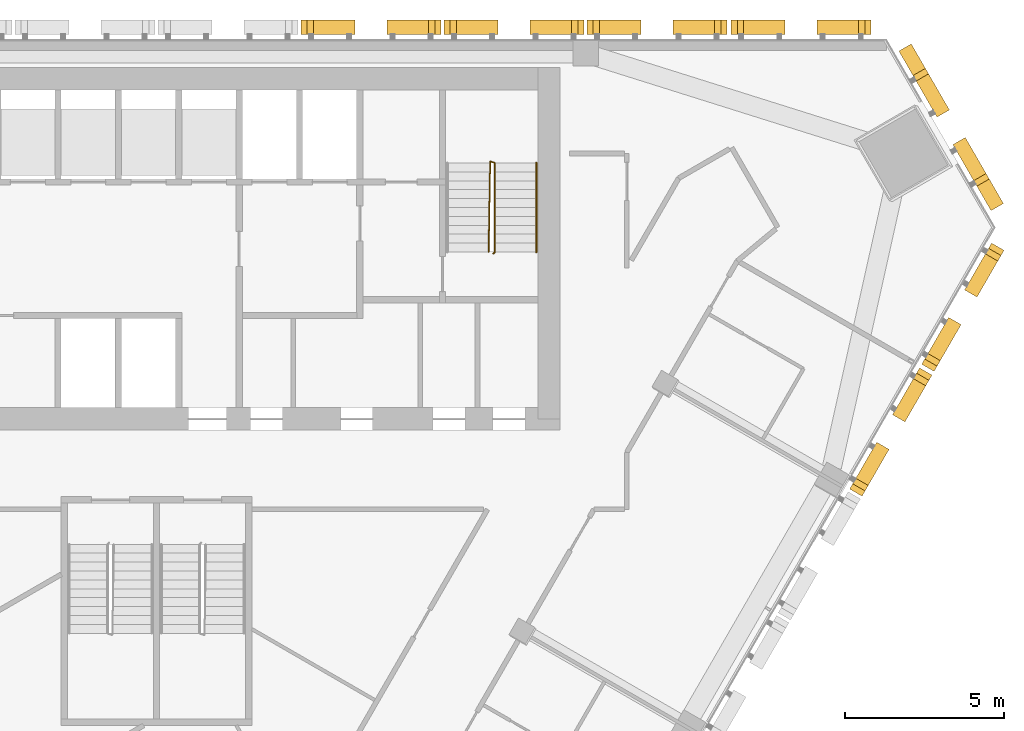
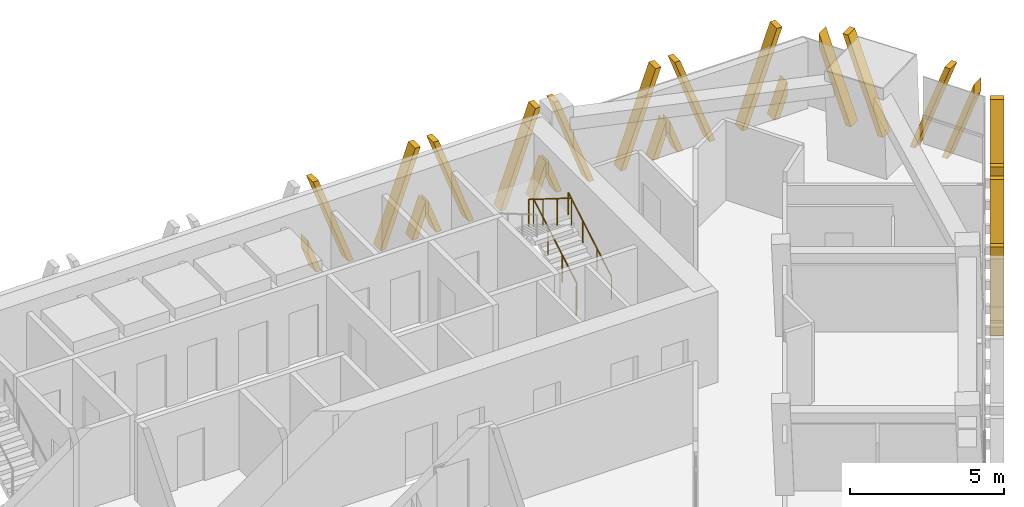
# One storey, part 15 of 16: 7 shading devices, 2 railings.
"""IFC4 building model written with IfcOpenShell, lengths in metres."""

from ifc_helpers import new_model, si_unit, direction, frame, origin, origin_2d, place, context, subcontext, project, spatial, polyline, circle, outline, extrude, source, transform, mapped, material, type_object, element, save


model = new_model("IFC4")

# Units and contexts
model_context = context("Model", 3, precision=1e-05, world=origin(), true_north=direction((0.0, 1.0)))
body_context = subcontext(model_context, "Body", "Model", "MODEL_VIEW")
ifc_project = project(units=[si_unit("LENGTHUNIT", "METRE"), si_unit("AREAUNIT", "SQUARE_METRE"), si_unit("VOLUMEUNIT", "CUBIC_METRE"), si_unit("PLANEANGLEUNIT", "RADIAN"), si_unit("MASSUNIT", "GRAM", prefix="KILO")], contexts=[model_context])

# Site, building, storey
site_placement = place(None, origin())
site = spatial("IfcSite", under=ifc_project, at=site_placement, CompositionType="ELEMENT")
building_placement = place(site_placement, origin())
building = spatial("IfcBuilding", under=site, at=building_placement, Name="Altiplano Prism Tower", CompositionType="ELEMENT")
storey_placement = place(building_placement, frame((0.0, 0.0, 174.60009765625)))
storey = spatial("IfcBuildingStorey", under=building, at=storey_placement, Name="L45", CompositionType="ELEMENT", Elevation=174.60009765625)

# Railings
ifc_material_1 = material(Name="Steel S355", Category="steel")
railing_type_1 = type_object("IfcRailingType", Name="Stair guard 1100", PredefinedType="GUARDRAIL", material=ifc_material_1)
railing_1_placement = place(storey_placement, frame((95.60009765625, 98.25, 0.0)))
element("IfcRailing", 1, at=railing_1_placement, inside=storey, type_object=railing_type_1, Name="L45 ST2 stair guard 1", PredefinedType="GUARDRAIL", context=body_context, shape_type="SweptSolid", body=[
    extrude(circle(Radius=0.02392578125, at=origin_2d()), frame((0.0, 0.0, 1.076171875), z_axis=(0.279546231943, 0.280916556609, 0.91811752648), x_axis=(-0.708833529934, 0.705375805398, 0.0)), (0.0, 0.0, 1.0), 0.17822265625),
    extrude(circle(Radius=0.02392578125, at=origin_2d()), frame((0.0498046875, 0.050048828125, 1.23974609375), z_axis=(0.0, 0.863393664356, 0.504530851732), x_axis=(-1.0, 0.0, 0.0)), (0.0, 0.0, 1.0), 3.2431640625),
    extrude(circle(Radius=0.02392578125, at=origin_2d()), frame((0.0498046875, 2.85009765625, 2.8759765625), z_axis=(-0.948991962702, 0.315300261223, 0.0), x_axis=(-0.315300261223, -0.948991962702, 0.0)), (0.0, 0.0, 1.0), 0.157958984375),
    extrude(circle(Radius=0.02392578125, at=origin_2d()), frame((-0.10009765625, 2.89990234375, 2.8759765625), z_axis=(-0.014846418356, -0.845376787675, 0.533964109957), x_axis=(0.999845825584, -0.017559187376, 0.0)), (0.0, 0.0, 1.0), 3.37109375),
    extrude(circle(Radius=0.02099609375, at=origin_2d()), origin(), (0.0, 0.0, 1.0), 1.052001953125),
    extrude(circle(Radius=0.02099609375, at=origin_2d()), frame((0.0498046875, 0.050048828125, 0.16357421875)), (0.0, 0.0, 1.0), 1.052001953125),
    extrude(circle(Radius=0.02099609375, at=origin_2d()), frame((0.0498046875, 0.9833984375, 0.708984375)), (0.0, 0.0, 1.0), 1.052001953125),
    extrude(circle(Radius=0.02099609375, at=origin_2d()), frame((0.0498046875, 1.916748046875, 1.25439453125)), (0.0, 0.0, 1.0), 1.052001953125),
    extrude(circle(Radius=0.02099609375, at=origin_2d()), frame((0.0498046875, 2.85009765625, 1.7998046875)), (0.0, 0.0, 1.0), 1.052001953125),
    extrude(circle(Radius=0.02099609375, at=origin_2d()), frame((-0.10009765625, 2.89990234375, 1.7998046875)), (0.0, 0.0, 1.0), 1.052001953125),
    extrude(circle(Radius=0.02099609375, at=origin_2d()), frame((-0.11669921875, 1.949951171875, 2.39990234375)), (0.0, 0.0, 1.0), 1.052001953125),
    extrude(circle(Radius=0.02099609375, at=origin_2d()), frame((-0.133544921875, 1.0, 2.999755859375)), (0.0, 0.0, 1.0), 1.052001953125),
    extrude(circle(Radius=0.02099609375, at=origin_2d()), frame((-0.150146484375, 0.050048828125, 3.599853515625)), (0.0, 0.0, 1.0), 1.052001953125),
])
railing_type_2 = type_object("IfcRailingType", Name="Stair handrail 900", PredefinedType="HANDRAIL", material=ifc_material_1)
railing_2_placement = place(storey_placement, frame((96.949951171875, 98.300048828125, 0.16357421875)))
element("IfcRailing", 2, at=railing_2_placement, inside=storey, type_object=railing_type_2, Name="L45 ST2 stair handrail 1", PredefinedType="HANDRAIL", context=body_context, shape_type="SweptSolid", body=[
    extrude(circle(Radius=0.02392578125, at=origin_2d()), frame((0.0, 0.0, 0.8759765625), z_axis=(0.0, 0.863393664356, 0.504530851732), x_axis=(-1.0, 0.0, 0.0)), (0.0, 0.0, 1.0), 3.2431640625),
    extrude(circle(Radius=0.02099609375, at=origin_2d()), origin(), (0.0, 0.0, 1.0), 0.851806640625),
    extrude(circle(Radius=0.02099609375, at=origin_2d()), frame((0.0, 0.933349609375, 0.54541015625)), (0.0, 0.0, 1.0), 0.851806640625),
    extrude(circle(Radius=0.02099609375, at=origin_2d()), frame((0.0, 1.86669921875, 1.0908203125)), (0.0, 0.0, 1.0), 0.851806640625),
    extrude(circle(Radius=0.02099609375, at=origin_2d()), frame((0.0, 2.800048828125, 1.63623046875)), (0.0, 0.0, 1.0), 0.851806640625),
])

# Shading devices
ifc_material_2 = material(Name="Warm limestone cast stone", Category="masonry")
shading_device_type_1 = type_object("IfcShadingDeviceType", Name="Stone fin panel, wide closing bay", PredefinedType="USERDEFINED", material=ifc_material_2)
shared_shape_1 = source(origin(), body_context, "Body", "SweptSolid", [
    extrude(outline(polyline([(-2.199951171875, 1.373779296875), (-2.199951171875, 0.82421875), (-1.89990234375, 0.0), (-1.699951171875, 0.0), (-2.199951171875, 1.373779296875)])), frame((0.0, -0.14990234375, 0.0), z_axis=(0.0, -1.0, 0.0), x_axis=(1.0, 0.0, 0.0)), (0.0, 0.0, 1.0), 0.4501953125),
    extrude(outline(polyline([(-2.01025390625, 3.60009765625), (-0.699951171875, 0.0), (-0.5, 0.0), (-1.810302734375, 3.60009765625), (-2.01025390625, 3.60009765625)])), frame((0.0, -0.14990234375, 0.0), z_axis=(0.0, -1.0, 0.0), x_axis=(1.0, 0.0, 0.0)), (0.0, 0.0, 1.0), 0.4501953125),
    extrude(outline(polyline([(1.810302734375, 3.60009765625), (0.5, 0.0), (0.699951171875, 0.0), (2.01025390625, 3.60009765625), (1.810302734375, 3.60009765625)])), frame((0.0, -0.14990234375, 0.0), z_axis=(0.0, -1.0, 0.0), x_axis=(1.0, 0.0, 0.0)), (0.0, 0.0, 1.0), 0.4501953125),
    extrude(outline(polyline([(2.199951171875, 0.82421875), (2.199951171875, 1.373779296875), (1.699951171875, 0.0), (1.89990234375, 0.0), (2.199951171875, 0.82421875)])), frame((0.0, -0.14990234375, 0.0), z_axis=(0.0, -1.0, 0.0), x_axis=(1.0, 0.0, 0.0)), (0.0, 0.0, 1.0), 0.4501953125),
])
shading_device_1_placement = place(storey_placement, origin())
element("IfcShadingDevice", 3, at=shading_device_1_placement, inside=storey, type_object=shading_device_type_1, Name="Fin L45 north face 1", ObjectType="FIN", PredefinedType="USERDEFINED", context=body_context, shape_type="MappedRepresentation", body=[
    mapped(shared_shape_1, transform((105.284912109375, 105.0, -0.4501953125), x_axis=(-1.0, 0.0, 0.0), y_axis=(0.0, -1.0, 0.0), z_axis=(0.0, 0.0, 1.0))),
])
shading_device_type_2 = type_object("IfcShadingDeviceType", Name="Stone fin panel, standard unit", PredefinedType="USERDEFINED", material=ifc_material_2)
shading_device_2_placement = place(storey_placement, origin())
element("IfcShadingDevice", 4, at=shading_device_2_placement, inside=storey, type_object=shading_device_type_2, Name="Fin L45 north face 2", ObjectType="FIN", PredefinedType="USERDEFINED", context=body_context, shape_type="MappedRepresentation", body=[
    mapped(shared_shape_1, transform((100.75, 105.0, -0.4501953125), x_axis=(-1.0, 0.0, 0.0), y_axis=(0.0, -1.0, 0.0), z_axis=(0.0, 0.0, 1.0))),
])
shading_device_3_placement = place(storey_placement, origin())
element("IfcShadingDevice", 5, at=shading_device_3_placement, inside=storey, type_object=shading_device_type_2, Name="Fin L45 north face 3", ObjectType="FIN", PredefinedType="USERDEFINED", context=body_context, shape_type="MappedRepresentation", body=[
    mapped(shared_shape_1, transform((96.25, 105.0, -0.4501953125), x_axis=(-1.0, 0.0, 0.0), y_axis=(0.0, -1.0, 0.0), z_axis=(0.0, 0.0, 1.0))),
])
shading_device_4_placement = place(storey_placement, origin())
element("IfcShadingDevice", 6, at=shading_device_4_placement, inside=storey, type_object=shading_device_type_2, Name="Fin L45 north face 4", ObjectType="FIN", PredefinedType="USERDEFINED", context=body_context, shape_type="MappedRepresentation", body=[
    mapped(shared_shape_1, transform((91.75, 105.0, -0.4501953125), x_axis=(-1.0, 0.0, 0.0), y_axis=(0.0, -1.0, 0.0), z_axis=(0.0, 0.0, 1.0))),
])
shading_device_5_placement = place(storey_placement, origin())
element("IfcShadingDevice", 7, at=shading_device_5_placement, inside=storey, type_object=shading_device_type_2, Name="Fin L45 south-east face 9", ObjectType="FIN", PredefinedType="USERDEFINED", context=body_context, shape_type="MappedRepresentation", body=[
    mapped(shared_shape_1, transform((107.781982421875, 92.8203125, -0.4501953125), x_axis=(0.499999994108, 0.866025407186, 0.0), y_axis=(-0.866025407186, 0.499999994108, 0.0), z_axis=(0.0, 0.0, 1.0))),
])
shading_device_6_placement = place(storey_placement, origin())
element("IfcShadingDevice", 8, at=shading_device_6_placement, inside=storey, type_object=shading_device_type_1, Name="Fin L45 south-east face 10", ObjectType="FIN", PredefinedType="USERDEFINED", context=body_context, shape_type="MappedRepresentation", body=[
    mapped(shared_shape_1, transform((110.04931640625, 96.74755859375, -0.4501953125), x_axis=(0.499999994108, 0.866025407186, 0.0), y_axis=(-0.866025407186, 0.499999994108, 0.0), z_axis=(0.0, 0.0, 1.0))),
])
shading_device_type_3 = type_object("IfcShadingDeviceType", Name="Stone fin panel, chamfer unit", PredefinedType="USERDEFINED", material=ifc_material_2)
shared_shape_2 = source(origin(), body_context, "Body", "SweptSolid", [
    extrude(outline(polyline([(-2.89990234375, 3.297119140625), (-2.89990234375, 2.74755859375), (-1.89990234375, 0.0), (-1.699951171875, 0.0), (-2.89990234375, 3.297119140625)])), frame((0.0, -0.14990234375, 0.0), z_axis=(0.0, -1.0, 0.0), x_axis=(1.0, 0.0, 0.0)), (0.0, 0.0, 1.0), 0.4501953125),
    extrude(outline(polyline([(-2.01025390625, 3.60009765625), (-0.699951171875, 0.0), (-0.5, 0.0), (-1.810302734375, 3.60009765625), (-2.01025390625, 3.60009765625)])), frame((0.0, -0.14990234375, 0.0), z_axis=(0.0, -1.0, 0.0), x_axis=(1.0, 0.0, 0.0)), (0.0, 0.0, 1.0), 0.4501953125),
    extrude(outline(polyline([(1.810302734375, 3.60009765625), (0.5, 0.0), (0.699951171875, 0.0), (2.01025390625, 3.60009765625), (1.810302734375, 3.60009765625)])), frame((0.0, -0.14990234375, 0.0), z_axis=(0.0, -1.0, 0.0), x_axis=(1.0, 0.0, 0.0)), (0.0, 0.0, 1.0), 0.4501953125),
    extrude(outline(polyline([(2.89990234375, 2.74755859375), (2.89990234375, 3.297119140625), (1.699951171875, 0.0), (1.89990234375, 0.0), (2.89990234375, 2.74755859375)])), frame((0.0, -0.14990234375, 0.0), z_axis=(0.0, -1.0, 0.0), x_axis=(1.0, 0.0, 0.0)), (0.0, 0.0, 1.0), 0.4501953125),
])
shading_device_7_placement = place(storey_placement, origin())
element("IfcShadingDevice", 9, at=shading_device_7_placement, inside=storey, type_object=shading_device_type_3, Name="Fin L45 north-east chamfer 1", ObjectType="FIN", PredefinedType="USERDEFINED", context=body_context, shape_type="MappedRepresentation", body=[
    mapped(shared_shape_2, transform((109.6806640625, 102.036376953125, -0.4501953125), x_axis=(-0.500000020103, 0.866025392178, 0.0), y_axis=(-0.866025392178, -0.500000020103, 0.0), z_axis=(0.0, 0.0, 1.0))),
])

save(model, "model.ifc")
